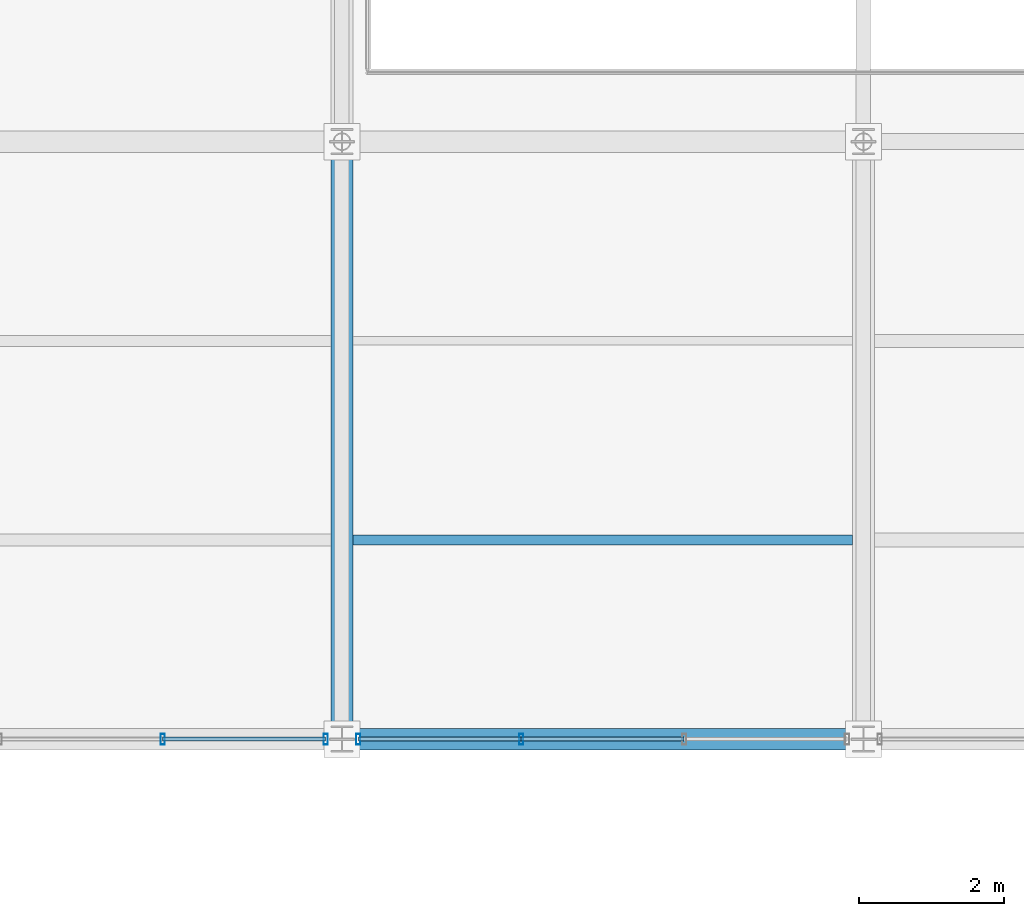
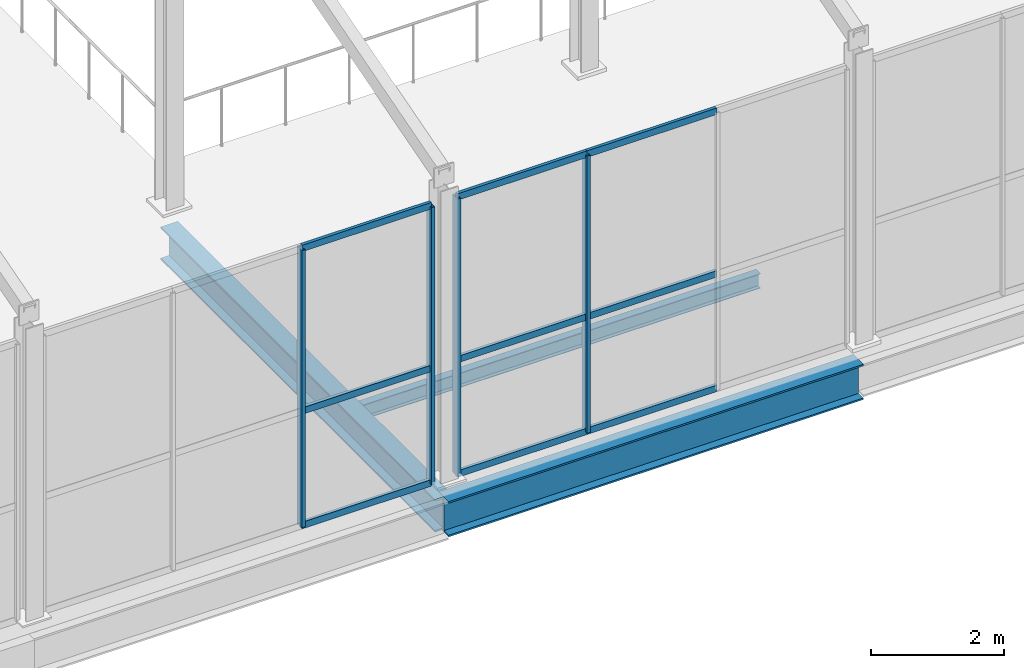
# One storey, part 58 of 141: 13 members, 3 beams, 2 elements without a shape of their own.
"""IFC4 building model written with IfcOpenShell, lengths in metres."""

from ifc_helpers import new_model, si_unit, direction, frame, origin, origin_2d, place, context, subcontext, project, spatial, hollow_rectangle, i_section, extrude, material, layer, layer_set, material_profile, profile_set, type_object, element, aggregate, save


model = new_model("IFC4")

# Units and contexts
model_context = context("Model", 3, precision=1e-05, world=origin(), true_north=direction((0.0, 1.0)))
body_context = subcontext(model_context, "Body", "Model", "MODEL_VIEW")
ifc_project = project(units=[si_unit("LENGTHUNIT", "METRE"), si_unit("AREAUNIT", "SQUARE_METRE"), si_unit("VOLUMEUNIT", "CUBIC_METRE"), si_unit("PLANEANGLEUNIT", "RADIAN"), si_unit("MASSUNIT", "GRAM", prefix="KILO")], contexts=[model_context])

# Site, building, storey
site_placement = place(None, origin())
site = spatial("IfcSite", under=ifc_project, at=site_placement, CompositionType="ELEMENT")
building_placement = place(site_placement, origin())
building = spatial("IfcBuilding", under=site, at=building_placement, Name="Sundgate Opera House", CompositionType="ELEMENT")
storey_placement = place(building_placement, frame((0.0, 0.0, 11.39990234375)))
storey = spatial("IfcBuildingStorey", under=building, at=storey_placement, Name="L02", CompositionType="ELEMENT", Elevation=11.39990234375)

# Beams
ifc_material_1 = material(Name="Steel S355J2", Category="steel")
ifc_material_profile_1 = material_profile(ifc_material_1, i_section(OverallWidth=0.300048828125, OverallDepth=0.60009765625, WebThickness=0.015380859375, FlangeThickness=0.030029296875, at=origin_2d()), Name="HEB 600")
ifc_profile_set_1 = profile_set([ifc_material_profile_1], Name="Steel S355J2")
beam_type_1 = type_object("IfcBeamType", Name="BM-GR-HEB600", PredefinedType="BEAM", material=ifc_profile_set_1)
beam_1_placement = place(storey_placement, frame((131.39990234375, 8.25, -0.64990234375), z_axis=(0.0, 1.0, 0.0), x_axis=(-1.0, 0.0, 0.0)))
element("IfcBeam", 1, at=beam_1_placement, inside=storey, type_object=beam_type_1, Name="L02 Primary N-S Girder B1903", PredefinedType="BEAM", context=body_context, shape_type="SweptSolid", body=[
    extrude(i_section(OverallWidth=0.300048828125, OverallDepth=0.60009765625, WebThickness=0.015380859375, FlangeThickness=0.030029296875, at=origin_2d()), origin(), (0.0, 0.0, 1.0), 8.25),
])
ifc_material_2 = material(Name="Steel S355J2", Category="steel")
ifc_material_profile_2 = material_profile(ifc_material_2, i_section(OverallWidth=0.300048828125, OverallDepth=0.64990234375, WebThickness=0.01611328125, FlangeThickness=0.031005859375, at=origin_2d()), Name="HEB 650")
ifc_profile_set_2 = profile_set([ifc_material_profile_2], Name="Steel S355J2")
beam_type_2 = type_object("IfcBeamType", Name="BM-GR-HEB650", PredefinedType="BEAM", material=ifc_profile_set_2)
beam_2_placement = place(storey_placement, frame((131.39990234375, 8.25, -0.6748046875), z_axis=(1.0, 0.0, 0.0), x_axis=(0.0, 1.0, 0.0)))
element("IfcBeam", 2, at=beam_2_placement, inside=storey, type_object=beam_type_2, Name="L02 Primary E-W Girder B1968", PredefinedType="BEAM", context=body_context, shape_type="SweptSolid", body=[
    extrude(i_section(OverallWidth=0.300048828125, OverallDepth=0.64990234375, WebThickness=0.01611328125, FlangeThickness=0.031005859375, at=origin_2d()), origin(), (0.0, 0.0, 1.0), 7.2001953125),
])
ifc_material_3 = material(Name="Steel S355J2", Category="steel")
ifc_material_profile_3 = material_profile(ifc_material_3, i_section(OverallWidth=0.135009765625, OverallDepth=0.27001953125, WebThickness=0.006591796875, FlangeThickness=0.01025390625, at=origin_2d()), Name="IPE 270")
ifc_profile_set_3 = profile_set([ifc_material_profile_3], Name="Steel S355J2")
beam_type_3 = type_object("IfcBeamType", Name="BM-JS-IPE270", PredefinedType="JOIST", material=ifc_profile_set_3)
beam_3_placement = place(storey_placement, frame((131.550048828125, 11.0, -0.48486328125), z_axis=(1.0, 0.0, 0.0), x_axis=(0.0, 1.0, 0.0)))
element("IfcBeam", 3, at=beam_3_placement, inside=storey, type_object=beam_type_3, Name="L02 Secondary Floor Joist B2155", PredefinedType="JOIST", context=body_context, shape_type="SweptSolid", body=[
    extrude(i_section(OverallWidth=0.135009765625, OverallDepth=0.27001953125, WebThickness=0.006591796875, FlangeThickness=0.01025390625, at=origin_2d()), origin(), (0.0, 0.0, 1.0), 6.89990234375),
])

# Curtain wall, members
ifc_material_4 = material(Name="Anodized aluminium and low-iron glass", Category="aluminium")
ifc_layer = layer(ifc_material_4, 0.14990234375)
ifc_layer_set = layer_set([ifc_layer], Name="Anodized aluminium and low-iron glass")
curtain_wall_type = type_object("IfcCurtainWallType", Name="CW-WORKSHOP-DARK", PredefinedType="NOTDEFINED", material=ifc_layer_set)
curtain_wall_1_placement = place(storey_placement, origin())
curtain_wall_1 = element("IfcCurtainWall", 4, at=curtain_wall_1_placement, inside=storey, type_object=curtain_wall_type, Name="L02 Curtain Wall CW158", PredefinedType="NOTDEFINED")
ifc_material_5 = material(Name="Anodized aluminium EN AW-6063", Category="aluminium")
ifc_material_profile_4 = material_profile(ifc_material_5, hollow_rectangle(XDim=0.06005859375, YDim=0.14990234375, WallThickness=0.00390625, at=origin_2d()), Name="CWM 150x60x4")
ifc_profile_set_4 = profile_set([ifc_material_profile_4], Name="Anodized aluminium EN AW-6063")
member_type_1 = type_object("IfcMemberType", Name="CWM-ALU-150x60", PredefinedType="MULLION", material=ifc_profile_set_4)
member_1_placement = place(storey_placement, frame((131.175048828125, 8.25, 0.0), z_axis=(0.0, 0.0, 1.0), x_axis=(1.0, 0.0, 0.0)))
member_1 = element("IfcMember", 5, at=member_1_placement, type_object=member_type_1, Name="CW158 Mullion 1", PredefinedType="MULLION", context=body_context, shape_type="SweptSolid", body=[
    extrude(hollow_rectangle(XDim=0.06005859375, YDim=0.14990234375, WallThickness=0.00390625, at=origin_2d()), origin(), (0.0, 0.0, 1.0), 5.085205078125),
])
member_2_placement = place(storey_placement, frame((128.925048828125, 8.25, 0.0), z_axis=(0.0, 0.0, 1.0), x_axis=(1.0, 0.0, 0.0)))
member_2 = element("IfcMember", 6, at=member_2_placement, type_object=member_type_1, Name="CW158 Mullion 2", PredefinedType="MULLION", context=body_context, shape_type="SweptSolid", body=[
    extrude(hollow_rectangle(XDim=0.06005859375, YDim=0.14990234375, WallThickness=0.00390625, at=origin_2d()), origin(), (0.0, 0.0, 1.0), 5.085205078125),
])

curtain_wall_2_placement = place(storey_placement, origin())
curtain_wall_2 = element("IfcCurtainWall", 7, at=curtain_wall_2_placement, inside=storey, type_object=curtain_wall_type, Name="L02 Curtain Wall CW159", PredefinedType="NOTDEFINED")
member_3_placement = place(storey_placement, frame((133.875, 8.25, 0.0), z_axis=(0.0, 0.0, 1.0), x_axis=(1.0, 0.0, 0.0)))
member_3 = element("IfcMember", 8, at=member_3_placement, type_object=member_type_1, Name="CW159 Mullion 3", PredefinedType="MULLION", context=body_context, shape_type="SweptSolid", body=[
    extrude(hollow_rectangle(XDim=0.06005859375, YDim=0.14990234375, WallThickness=0.00390625, at=origin_2d()), origin(), (0.0, 0.0, 1.0), 5.085205078125),
])
member_4_placement = place(storey_placement, frame((131.625, 8.25, 0.0), z_axis=(0.0, 0.0, 1.0), x_axis=(1.0, 0.0, 0.0)))
member_4 = element("IfcMember", 9, at=member_4_placement, type_object=member_type_1, Name="CW159 Mullion 4", PredefinedType="MULLION", context=body_context, shape_type="SweptSolid", body=[
    extrude(hollow_rectangle(XDim=0.06005859375, YDim=0.14990234375, WallThickness=0.00390625, at=origin_2d()), origin(), (0.0, 0.0, 1.0), 5.085205078125),
])

# Member
ifc_material_6 = material(Name="Anodized aluminium EN AW-6063", Category="aluminium")
ifc_material_profile_5 = material_profile(ifc_material_6, hollow_rectangle(XDim=0.054931640625, YDim=0.1201171875, WallThickness=0.00390625, at=origin_2d()), Name="CWT 120x55x4")
ifc_profile_set_5 = profile_set([ifc_material_profile_5], Name="Anodized aluminium EN AW-6063")
member_type_2 = type_object("IfcMemberType", Name="CWT-ALU-120x55", PredefinedType="USERDEFINED", material=ifc_profile_set_5)
member_5_placement = place(storey_placement, frame((131.175048828125, 8.25, 0.0), z_axis=(-1.0, 0.0, 0.0), x_axis=(0.0, -1.0, 0.0)))
member_5 = element("IfcMember", 10, at=member_5_placement, type_object=member_type_2, Name="CW158 Transom 1", ObjectType="TRANSOM", PredefinedType="USERDEFINED", context=body_context, shape_type="SweptSolid", body=[
    extrude(hollow_rectangle(XDim=0.054931640625, YDim=0.1201171875, WallThickness=0.00390625, at=origin_2d()), origin(), (0.0, 0.0, 1.0), 2.25),
])

member_6_placement = place(storey_placement, frame((131.175048828125, 8.25, 2.10009765625), z_axis=(-1.0, 0.0, 0.0), x_axis=(0.0, -1.0, 0.0)))
member_6 = element("IfcMember", 11, at=member_6_placement, type_object=member_type_2, Name="CW158 Transom 2", ObjectType="TRANSOM", PredefinedType="USERDEFINED", context=body_context, shape_type="SweptSolid", body=[
    extrude(hollow_rectangle(XDim=0.054931640625, YDim=0.1201171875, WallThickness=0.00390625, at=origin_2d()), origin(), (0.0, 0.0, 1.0), 2.25),
])

member_7_placement = place(storey_placement, frame((131.175048828125, 8.25, 5.085205078125), z_axis=(-1.0, 0.0, 0.0), x_axis=(0.0, -1.0, 0.0)))
member_7 = element("IfcMember", 12, at=member_7_placement, type_object=member_type_2, Name="CW158 Transom 3", ObjectType="TRANSOM", PredefinedType="USERDEFINED", context=body_context, shape_type="SweptSolid", body=[
    extrude(hollow_rectangle(XDim=0.054931640625, YDim=0.1201171875, WallThickness=0.00390625, at=origin_2d()), origin(), (0.0, 0.0, 1.0), 2.25),
])

aggregate(curtain_wall_1, [member_1, member_2, member_5, member_6, member_7])

member_8_placement = place(storey_placement, frame((136.125, 8.25, 0.0), z_axis=(-1.0, 0.0, 0.0), x_axis=(0.0, -1.0, 0.0)))
member_8 = element("IfcMember", 13, at=member_8_placement, type_object=member_type_2, Name="CW159 Transom 4", ObjectType="TRANSOM", PredefinedType="USERDEFINED", context=body_context, shape_type="SweptSolid", body=[
    extrude(hollow_rectangle(XDim=0.054931640625, YDim=0.1201171875, WallThickness=0.00390625, at=origin_2d()), origin(), (0.0, 0.0, 1.0), 2.25),
])

member_9_placement = place(storey_placement, frame((136.125, 8.25, 2.10009765625), z_axis=(-1.0, 0.0, 0.0), x_axis=(0.0, -1.0, 0.0)))
member_9 = element("IfcMember", 14, at=member_9_placement, type_object=member_type_2, Name="CW159 Transom 5", ObjectType="TRANSOM", PredefinedType="USERDEFINED", context=body_context, shape_type="SweptSolid", body=[
    extrude(hollow_rectangle(XDim=0.054931640625, YDim=0.1201171875, WallThickness=0.00390625, at=origin_2d()), origin(), (0.0, 0.0, 1.0), 2.25),
])

member_10_placement = place(storey_placement, frame((136.125, 8.25, 5.085205078125), z_axis=(-1.0, 0.0, 0.0), x_axis=(0.0, -1.0, 0.0)))
member_10 = element("IfcMember", 15, at=member_10_placement, type_object=member_type_2, Name="CW159 Transom 6", ObjectType="TRANSOM", PredefinedType="USERDEFINED", context=body_context, shape_type="SweptSolid", body=[
    extrude(hollow_rectangle(XDim=0.054931640625, YDim=0.1201171875, WallThickness=0.00390625, at=origin_2d()), origin(), (0.0, 0.0, 1.0), 2.25),
])

member_11_placement = place(storey_placement, frame((133.875, 8.25, 0.0), z_axis=(-1.0, 0.0, 0.0), x_axis=(0.0, -1.0, 0.0)))
member_11 = element("IfcMember", 16, at=member_11_placement, type_object=member_type_2, Name="CW159 Transom 7", ObjectType="TRANSOM", PredefinedType="USERDEFINED", context=body_context, shape_type="SweptSolid", body=[
    extrude(hollow_rectangle(XDim=0.054931640625, YDim=0.1201171875, WallThickness=0.00390625, at=origin_2d()), origin(), (0.0, 0.0, 1.0), 2.25),
])

member_12_placement = place(storey_placement, frame((133.875, 8.25, 2.10009765625), z_axis=(-1.0, 0.0, 0.0), x_axis=(0.0, -1.0, 0.0)))
member_12 = element("IfcMember", 17, at=member_12_placement, type_object=member_type_2, Name="CW159 Transom 8", ObjectType="TRANSOM", PredefinedType="USERDEFINED", context=body_context, shape_type="SweptSolid", body=[
    extrude(hollow_rectangle(XDim=0.054931640625, YDim=0.1201171875, WallThickness=0.00390625, at=origin_2d()), origin(), (0.0, 0.0, 1.0), 2.25),
])

member_13_placement = place(storey_placement, frame((133.875, 8.25, 5.085205078125), z_axis=(-1.0, 0.0, 0.0), x_axis=(0.0, -1.0, 0.0)))
member_13 = element("IfcMember", 18, at=member_13_placement, type_object=member_type_2, Name="CW159 Transom 9", ObjectType="TRANSOM", PredefinedType="USERDEFINED", context=body_context, shape_type="SweptSolid", body=[
    extrude(hollow_rectangle(XDim=0.054931640625, YDim=0.1201171875, WallThickness=0.00390625, at=origin_2d()), origin(), (0.0, 0.0, 1.0), 2.25),
])

aggregate(curtain_wall_2, [member_3, member_4, member_8, member_9, member_10, member_11, member_12, member_13])

save(model, "model.ifc")
